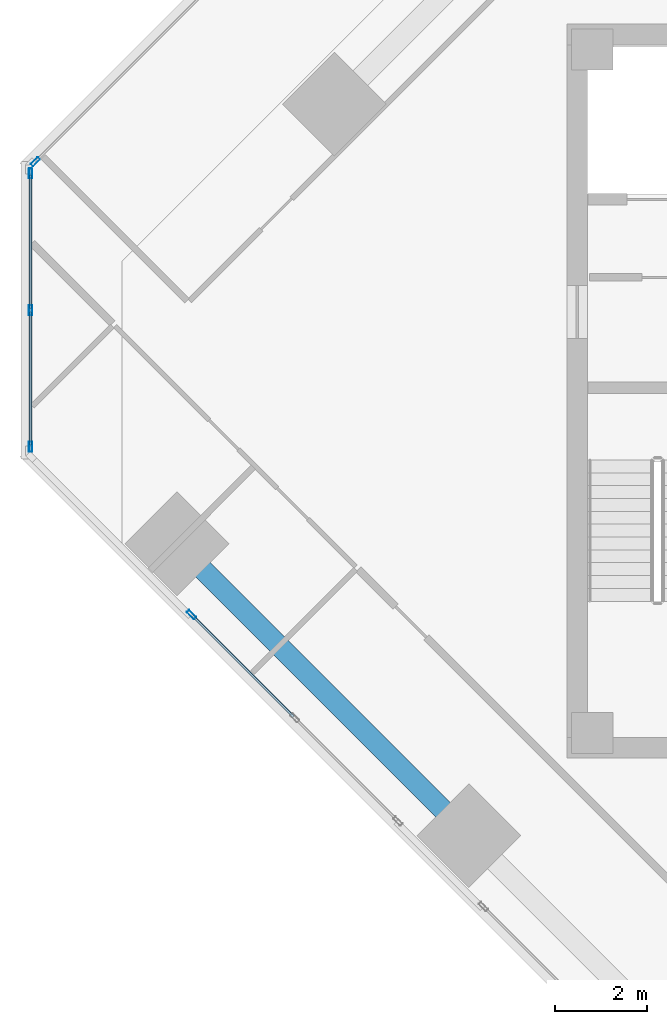
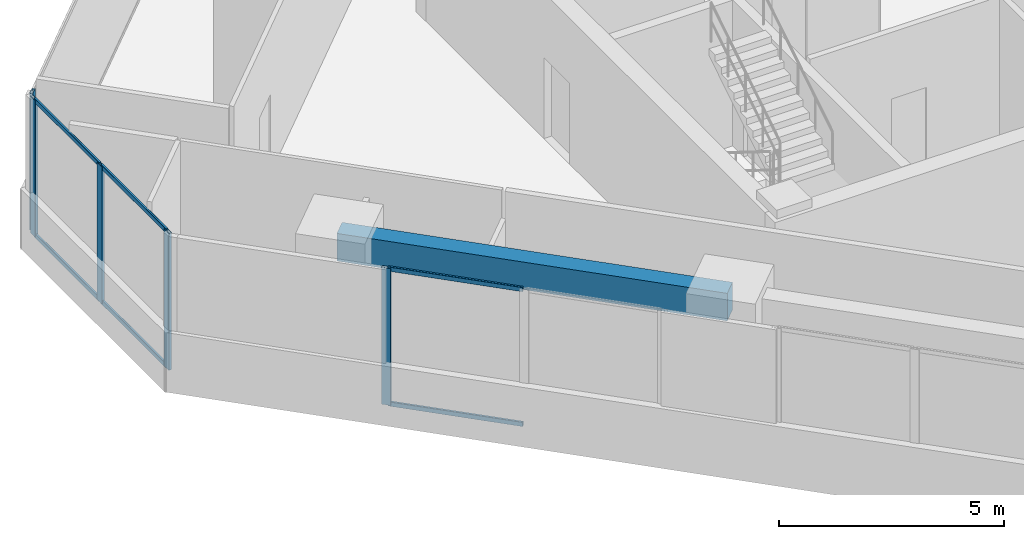
# One storey, part 4 of 17: 11 members, 1 beam, 3 elements without a shape of their own.
"""IFC4 building model written with IfcOpenShell, lengths in metres."""

import ifcopenshell
import ifcopenshell.guid

model = None  # the IFC model being written
_history = None  # IfcOwnerHistory: only IFC2X3 demands one
_inside = {}  # id of a spatial element -> (the spatial element, [elements in it])
_under = {}  # id of a project, library or spatial element -> (it, [spatial elements below it])
_declared = {}  # id of a project -> (the project, [libraries it declares])
_typed = {}  # id of a type object -> (the type object, [elements of that type])
_made_of = {}  # id of a material, layer set ... -> (it, [elements and type objects made of it])


def new_model(schema):
    """Start an empty IFC model of exactly this schema.

    Asked for "IFC4X3", IfcOpenShell would pick the latest addendum, in which some entities
    have other attributes; the version numbers below select the first issue.
    IFC2X3 requires an IfcOwnerHistory on every rooted entity: one is made here for all.
    """
    global model, _history
    if schema == "IFC4X3":
        model = ifcopenshell.file(schema_version=(4, 3, 0, 0))
    else:
        model = ifcopenshell.file(schema=schema)
    _inside.clear()
    _under.clear()
    _declared.clear()
    _typed.clear()
    _made_of.clear()
    _history = None
    if model.schema == "IFC2X3":
        org = make("IfcOrganization", Name="unknown")
        user = make(
            "IfcPersonAndOrganization",
            ThePerson=make("IfcPerson", FamilyName="unknown"),
            TheOrganization=org,
        )
        app = make(
            "IfcApplication",
            ApplicationDeveloper=org,
            Version="unknown",
            ApplicationFullName="unknown",
            ApplicationIdentifier="unknown",
        )
        _history = make(
            "IfcOwnerHistory",
            OwningUser=user,
            OwningApplication=app,
            ChangeAction="ADDED",
            CreationDate=0,
        )
    return model


def make(cls, **values):
    """One entity of the class cls with the attributes given. An attribute that is None is left unset."""
    return model.create_entity(
        cls, **{name: value for name, value in values.items() if value is not None}
    )


def rooted(cls, **values):
    """An entity with a GlobalId (a new one), such as an element, a storey or a relation."""
    return make(cls, GlobalId=ifcopenshell.guid.new(), OwnerHistory=_history, **values)


def si_unit(unit_type, name, prefix=None):
    """IfcSIUnit, for example si_unit("LENGTHUNIT", "METRE", prefix="MILLI")."""
    return make("IfcSIUnit", UnitType=unit_type, Prefix=prefix, Name=name)


def assignment(units):
    """IfcUnitAssignment: the units of a project."""
    return None if units is None else make("IfcUnitAssignment", Units=units)


def point(xyz):
    """IfcCartesianPoint."""
    return None if xyz is None else make("IfcCartesianPoint", Coordinates=xyz)


def direction(xyz):
    """IfcDirection."""
    return None if xyz is None else make("IfcDirection", DirectionRatios=xyz)


def frame(location, z_axis=None, x_axis=None):
    """IfcAxis2Placement3D, a coordinate frame: its origin and axes. An axis left out is left unset."""
    return make(
        "IfcAxis2Placement3D",
        Location=point(location),
        Axis=direction(z_axis),
        RefDirection=direction(x_axis),
    )


def frame_2d(location, x_axis=None):
    """IfcAxis2Placement2D, a coordinate frame in the plane: its origin and x axis."""
    return make(
        "IfcAxis2Placement2D", Location=point(location), RefDirection=direction(x_axis)
    )


def origin():
    """The frame at (0, 0, 0) with its axes left unset."""
    return frame((0.0, 0.0, 0.0))


def origin_2d():
    """The frame at (0, 0) in the plane with its x axis left unset."""
    return frame_2d((0.0, 0.0))


def place(relative_to, where):
    """IfcLocalPlacement: puts the frame where relative to a parent placement (None: the world)."""
    return make(
        "IfcLocalPlacement", PlacementRelTo=relative_to, RelativePlacement=where
    )


def context(
    kind, dimensions, precision=None, world=None, true_north=None, identifier=None
):
    """IfcGeometricRepresentationContext, for example the 3D "Model" context."""
    return make(
        "IfcGeometricRepresentationContext",
        ContextIdentifier=identifier,
        ContextType=kind,
        CoordinateSpaceDimension=dimensions,
        Precision=precision,
        WorldCoordinateSystem=world,
        TrueNorth=true_north,
    )


def subcontext(parent, identifier, kind, view, scale=None):
    """IfcGeometricRepresentationSubContext, for example "Body" below "Model"."""
    return make(
        "IfcGeometricRepresentationSubContext",
        ContextIdentifier=identifier,
        ContextType=kind,
        ParentContext=parent,
        TargetScale=scale,
        TargetView=view,
    )


def project(units=None, contexts=None):
    """IfcProject with its units and contexts."""
    return rooted(
        "IfcProject",
        Name="project",
        RepresentationContexts=contexts,
        UnitsInContext=assignment(units),
    )


def spatial(cls, under=None, at=None, **own):
    """A site, building, storey or space (cls), placed at a placement, below another one or the project."""
    s = rooted(cls, ObjectPlacement=at, **own)
    if under is not None:
        _under.setdefault(under.id(), (under, []))[1].append(s)
    return s


def profile(cls, at=None, kind="AREA", **sizes):
    """A parametric profile (cls). Its sizes go by their IFC names, for example OverallWidth=200.0."""
    return make(cls, ProfileType=kind, Position=at, **sizes)


def rectangle(**sizes):
    """IfcRectangleProfileDef."""
    return profile("IfcRectangleProfileDef", **sizes)


def hollow_rectangle(**sizes):
    """IfcRectangleHollowProfileDef."""
    return profile("IfcRectangleHollowProfileDef", **sizes)


def extrude(swept, where, along, depth):
    """IfcExtrudedAreaSolid: the profile swept, set in the frame where, extruded along a direction by depth."""
    return make(
        "IfcExtrudedAreaSolid",
        SweptArea=swept,
        Position=where,
        ExtrudedDirection=direction(along),
        Depth=depth,
    )


def shape(context_of_items, identifier, shape_type, items):
    """IfcShapeRepresentation: the items that make up one representation, for example the "Body"."""
    return make(
        "IfcShapeRepresentation",
        ContextOfItems=context_of_items,
        RepresentationIdentifier=identifier,
        RepresentationType=shape_type,
        Items=items,
    )


def source(mapping_origin, context_of_items, identifier, shape_type, items):
    """IfcRepresentationMap: a shape defined once, which mapped items show again and again."""
    return make(
        "IfcRepresentationMap",
        MappingOrigin=mapping_origin,
        MappedRepresentation=shape(context_of_items, identifier, shape_type, items),
    )


def transform(
    local_origin,
    x_axis=None,
    y_axis=None,
    z_axis=None,
    scale=None,
    scale2=None,
    scale3=None,
    uniform=True,
):
    """IfcCartesianTransformationOperator3D, or its non-uniform kind. x_axis, y_axis, z_axis: its Axis1, 2, 3."""
    if uniform:
        return make(
            "IfcCartesianTransformationOperator3D",
            Axis1=direction(x_axis),
            Axis2=direction(y_axis),
            LocalOrigin=point(local_origin),
            Scale=scale,
            Axis3=direction(z_axis),
        )
    return make(
        "IfcCartesianTransformationOperator3DnonUniform",
        Axis1=direction(x_axis),
        Axis2=direction(y_axis),
        LocalOrigin=point(local_origin),
        Scale=scale,
        Axis3=direction(z_axis),
        Scale2=scale2,
        Scale3=scale3,
    )


def mapped(mapping_source, mapping_target):
    """IfcMappedItem: shows the shape of a source again, moved by a transform."""
    return make(
        "IfcMappedItem", MappingSource=mapping_source, MappingTarget=mapping_target
    )


def material(Name=None, Category=None):
    """IfcMaterial."""
    return make("IfcMaterial", Name=Name, Category=Category)


def material_profile(
    of_material, cross_section, Name=None, Category=None, Priority=None
):
    """IfcMaterialProfile: a cross section and its material."""
    return make(
        "IfcMaterialProfile",
        Name=Name,
        Material=of_material,
        Profile=cross_section,
        Priority=Priority,
        Category=Category,
    )


def profile_set(profiles, Name=None, composite=None):
    """IfcMaterialProfileSet."""
    return make(
        "IfcMaterialProfileSet",
        Name=Name,
        MaterialProfiles=profiles,
        CompositeProfile=composite,
    )


def made_of(thing, what):
    """Note that an element or type object is made of a material, layer set ...; save() writes the relation."""
    if what is not None:
        _made_of.setdefault(what.id(), (what, []))[1].append(thing)
    return thing


def type_object(cls, material=None, **own):
    """A type object (cls), such as IfcWallType, which elements share."""
    return made_of(rooted(cls, **own), material)


def element(
    cls,
    number,
    at=None,
    inside=None,
    cuts=None,
    type_object=None,
    material=None,
    context=None,
    identifier="Body",
    shape_type=None,
    held_by="IfcProductDefinitionShape",
    body=None,
    shapes=None,
    **own,
):
    """One element of the class cls, such as IfcWall. Its Tag is "e" and its number.

    at: its placement. inside: the storey or other place that contains it. cuts: it is an
    opening in that element (IfcRelVoidsElement). A single representation is given by context,
    identifier, shape_type and body (its items); several are given by shapes. held_by: the class
    of the entity that holds the representations. save() writes the other relations.
    """
    e = rooted(cls, Tag="e%d" % number, ObjectPlacement=at, **own)
    if body is not None:
        shapes = [shape(context, identifier, shape_type, body)]
    if shapes is not None:
        e.Representation = make(held_by, Representations=shapes)
    if inside is not None:
        _inside.setdefault(inside.id(), (inside, []))[1].append(e)
    if cuts is not None:
        rooted(
            "IfcRelVoidsElement", RelatingBuildingElement=cuts, RelatedOpeningElement=e
        )
    if type_object is not None:
        _typed.setdefault(type_object.id(), (type_object, []))[1].append(e)
    return made_of(e, material)


def aggregate(whole, parts):
    """IfcRelAggregates: a whole, such as a stair, and the parts it consists of."""
    return rooted("IfcRelAggregates", RelatingObject=whole, RelatedObjects=parts)


def save(model, path):
    """Write the relations noted so far, then the file.

    IfcRelAggregates (storeys below a building ...), IfcRelContainedInSpatialStructure (elements
    in a storey), IfcRelDefinesByType, IfcRelAssociatesMaterial and IfcRelDeclares: one each for
    every whole, place, type object, material and project.
    """
    for whole, parts in _under.values():
        aggregate(whole, parts)
    for where, things in _inside.values():
        rooted(
            "IfcRelContainedInSpatialStructure",
            RelatedElements=things,
            RelatingStructure=where,
        )
    for kind, things in _typed.values():
        rooted("IfcRelDefinesByType", RelatedObjects=things, RelatingType=kind)
    for what, things in _made_of.values():
        rooted("IfcRelAssociatesMaterial", RelatedObjects=things, RelatingMaterial=what)
    for by, libraries in _declared.values():
        rooted("IfcRelDeclares", RelatingContext=by, RelatedDefinitions=libraries)
    model.write(path)


model = new_model("IFC4")

# Units and contexts
model_context = context("Model", 3, precision=1e-05, world=origin(), true_north=direction((0.0, 1.0)))
body_context = subcontext(model_context, "Body", "Model", "MODEL_VIEW")
ifc_project = project(units=[si_unit("LENGTHUNIT", "METRE"), si_unit("AREAUNIT", "SQUARE_METRE"), si_unit("VOLUMEUNIT", "CUBIC_METRE"), si_unit("PLANEANGLEUNIT", "RADIAN"), si_unit("MASSUNIT", "GRAM", prefix="KILO")], contexts=[model_context])

# Site, building, storey
site_placement = place(None, origin())
site = spatial("IfcSite", under=ifc_project, at=site_placement, CompositionType="ELEMENT")
building_placement = place(site_placement, origin())
building = spatial("IfcBuilding", under=site, at=building_placement, Name="Torre Montelarca", CompositionType="ELEMENT")
storey_placement = place(building_placement, frame((0.0, 0.0, 250.0)))
storey = spatial("IfcBuildingStorey", under=building, at=storey_placement, Name="L56", CompositionType="ELEMENT", Elevation=250.0)

# Beam
ifc_material_1 = material(Name="Concrete C55/67", Category="concrete")
ifc_material_profile_1 = material_profile(ifc_material_1, rectangle(XDim=0.449951171875, YDim=0.75, at=origin_2d()), Name="RCB450X750", Category="concrete")
ifc_profile_set_1 = profile_set([ifc_material_profile_1], Name="Concrete C55/67")
beam_type = type_object("IfcBeamType", Name="BM-SP-RC750-EXT", PredefinedType="SPANDREL", material=ifc_profile_set_1)
shared_shape_1 = source(origin(), body_context, "Body", "SweptSolid", [
    extrude(rectangle(XDim=0.449951171875, YDim=0.75, at=origin_2d()), origin(), (0.0, 0.0, 1.0), 9.0),
])
beam_placement = place(storey_placement, frame((0.498779296875, 28.676513671875, 3.5849609375), z_axis=(0.707106781187, -0.707106781187, 0.0), x_axis=(0.707106781187, 0.707106781187, 0.0)))
element("IfcBeam", 1, at=beam_placement, inside=storey, type_object=beam_type, Name="L56 Grid Girder X 9.0-18.0 at Y=14.8", PredefinedType="SPANDREL", context=body_context, shape_type="MappedRepresentation", body=[
    mapped(shared_shape_1, transform((0.0, 0.0, 0.0), scale=1.0)),
])

# Curtain wall, members
ifc_material_2 = material(Name="Insulated low-E laminated glass", Category="glass")
curtain_wall_type = type_object("IfcCurtainWallType", Name="CW-SYS-Z3", PredefinedType="USERDEFINED", material=ifc_material_2)
curtain_wall_1_placement = place(storey_placement, origin())
curtain_wall_1 = element("IfcCurtainWall", 2, at=curtain_wall_1_placement, inside=storey, type_object=curtain_wall_type, Name="L56 Curtain Wall Run CW-T3-L56-E11-B1", ObjectType="UNITISED GLAZING", PredefinedType="USERDEFINED")
ifc_material_3 = material(Name="Anodised aluminium AA 6063-T6", Category="aluminium")
ifc_material_profile_2 = material_profile(ifc_material_3, hollow_rectangle(XDim=0.054931640625, YDim=0.1201171875, WallThickness=0.00341796875, InnerFilletRadius=0.00341796875, OuterFilletRadius=0.007080078125, at=origin_2d()), Name="ALU55X120X3.5", Category="aluminium")
ifc_profile_set_2 = profile_set([ifc_material_profile_2], Name="Anodised aluminium AA 6063-T6")
member_type_1 = type_object("IfcMemberType", Name="CWT-ALU120", PredefinedType="USERDEFINED", material=ifc_profile_set_2)
shared_shape_2 = source(origin(), body_context, "Body", "SweptSolid", [
    extrude(hollow_rectangle(XDim=0.054931640625, YDim=0.1201171875, WallThickness=0.00341796875, InnerFilletRadius=0.00341796875, OuterFilletRadius=0.007080078125, at=origin_2d()), origin(), (0.0, 0.0, 1.0), 2.903564453125),
])
member_1_placement = place(storey_placement, frame((-2.694580078125, 33.730224609375, 0.027587890625), z_axis=(0.0, -1.0, 0.0), x_axis=(1.0, 0.0, 0.0)))
member_1 = element("IfcMember", 3, at=member_1_placement, type_object=member_type_1, Name="CW transom 2.1", ObjectType="TRANSOM", PredefinedType="USERDEFINED", context=body_context, shape_type="MappedRepresentation", body=[
    mapped(shared_shape_2, transform((0.0, 0.0, 0.0), scale=1.0)),
])
member_2_placement = place(storey_placement, frame((-2.694580078125, 33.730224609375, 3.6923828125), z_axis=(0.0, -1.0, 0.0), x_axis=(1.0, 0.0, 0.0)))
member_2 = element("IfcMember", 4, at=member_2_placement, type_object=member_type_1, Name="CW transom 2.2", ObjectType="TRANSOM", PredefinedType="USERDEFINED", context=body_context, shape_type="MappedRepresentation", body=[
    mapped(shared_shape_2, transform((0.0, 0.0, 0.0), scale=1.0)),
])

# Curtain wall, member
curtain_wall_2_placement = place(storey_placement, origin())
curtain_wall_2 = element("IfcCurtainWall", 5, at=curtain_wall_2_placement, inside=storey, type_object=curtain_wall_type, Name="L56 Curtain Wall Run CW-T3-L56-E01-B1", ObjectType="UNITISED GLAZING", PredefinedType="USERDEFINED")
ifc_material_profile_3 = material_profile(ifc_material_3, hollow_rectangle(XDim=0.074951171875, YDim=0.219970703125, WallThickness=0.0048828125, InnerFilletRadius=0.0048828125, OuterFilletRadius=0.010009765625, at=origin_2d()), Name="ALU75X220X5", Category="aluminium")
ifc_profile_set_3 = profile_set([ifc_material_profile_3], Name="Anodised aluminium AA 6063-T6")
member_type_2 = type_object("IfcMemberType", Name="CWM-ALU220", PredefinedType="MULLION", material=ifc_profile_set_3)
shared_shape_3 = source(origin(), body_context, "Body", "SweptSolid", [
    extrude(hollow_rectangle(XDim=0.074951171875, YDim=0.219970703125, WallThickness=0.0048828125, InnerFilletRadius=0.0048828125, OuterFilletRadius=0.010009765625, at=origin_2d()), origin(), (0.0, 0.0, 1.0), 3.719970703125),
])
member_3_placement = place(storey_placement, frame((0.8154296875, 27.1298828125, 0.0), z_axis=(0.0, 0.0, 1.0), x_axis=(0.707106781187, 0.707106781187, 0.0)))
member_3 = element("IfcMember", 6, at=member_3_placement, type_object=member_type_2, Name="CW mullion 1", PredefinedType="MULLION", context=body_context, shape_type="MappedRepresentation", body=[
    mapped(shared_shape_3, transform((0.0, 0.0, 0.0), scale=1.0)),
])

curtain_wall_3_placement = place(storey_placement, origin())
curtain_wall_3 = element("IfcCurtainWall", 7, at=curtain_wall_3_placement, inside=storey, type_object=curtain_wall_type, Name="L56 Curtain Wall Run CW-T3-L56-E10-B1", ObjectType="UNITISED GLAZING", PredefinedType="USERDEFINED")
member_4_placement = place(storey_placement, frame((-2.5888671875, 37.001708984375, 0.0), z_axis=(0.0, 0.0, 1.0), x_axis=(0.707108775742, -0.707104786625, 0.0)))
member_4 = element("IfcMember", 8, at=member_4_placement, type_object=member_type_2, Name="CW mullion 3", PredefinedType="MULLION", context=body_context, shape_type="MappedRepresentation", body=[
    mapped(shared_shape_3, transform((0.0, 0.0, 0.0), scale=1.0)),
])
aggregate(curtain_wall_3, [member_4])

# Member
member_5_placement = place(storey_placement, frame((-2.694580078125, 36.746337890625, 0.0), z_axis=(0.0, 0.0, 1.0), x_axis=(1.0, 0.0, 0.0)))
member_5 = element("IfcMember", 9, at=member_5_placement, type_object=member_type_2, Name="CW mullion 1", PredefinedType="MULLION", context=body_context, shape_type="MappedRepresentation", body=[
    mapped(shared_shape_3, transform((0.0, 0.0, 0.0), scale=1.0)),
])

member_6_placement = place(storey_placement, frame((-2.694580078125, 33.767822265625, 0.0), z_axis=(0.0, 0.0, 1.0), x_axis=(1.0, 0.0, 0.0)))
member_6 = element("IfcMember", 10, at=member_6_placement, type_object=member_type_2, Name="CW mullion 2", PredefinedType="MULLION", context=body_context, shape_type="MappedRepresentation", body=[
    mapped(shared_shape_3, transform((0.0, 0.0, 0.0), scale=1.0)),
])

member_7_placement = place(storey_placement, frame((-2.694580078125, 30.7890625, 0.0), z_axis=(0.0, 0.0, 1.0), x_axis=(1.0, 0.0, 0.0)))
member_7 = element("IfcMember", 11, at=member_7_placement, type_object=member_type_2, Name="CW mullion 3", PredefinedType="MULLION", context=body_context, shape_type="MappedRepresentation", body=[
    mapped(shared_shape_3, transform((0.0, 0.0, 0.0), scale=1.0)),
])

shared_shape_4 = source(origin(), body_context, "Body", "SweptSolid", [
    extrude(hollow_rectangle(XDim=0.054931640625, YDim=0.1201171875, WallThickness=0.00341796875, InnerFilletRadius=0.00341796875, OuterFilletRadius=0.007080078125, at=origin_2d()), origin(), (0.0, 0.0, 1.0), 3.107421875),
])
member_8_placement = place(storey_placement, frame((0.841796875, 27.103271484375, 0.027587890625), z_axis=(0.707106781187, -0.707106781187, 0.0), x_axis=(0.707106781187, 0.707106781187, 0.0)))
member_8 = element("IfcMember", 12, at=member_8_placement, type_object=member_type_1, Name="CW transom 1.1", ObjectType="TRANSOM", PredefinedType="USERDEFINED", context=body_context, shape_type="MappedRepresentation", body=[
    mapped(shared_shape_4, transform((0.0, 0.0, 0.0), scale=1.0)),
])

member_9_placement = place(storey_placement, frame((0.841796875, 27.103271484375, 3.6923828125), z_axis=(0.707106781187, -0.707106781187, 0.0), x_axis=(0.707106781187, 0.707106781187, 0.0)))
member_9 = element("IfcMember", 13, at=member_9_placement, type_object=member_type_1, Name="CW transom 1.2", ObjectType="TRANSOM", PredefinedType="USERDEFINED", context=body_context, shape_type="MappedRepresentation", body=[
    mapped(shared_shape_4, transform((0.0, 0.0, 0.0), scale=1.0)),
])

aggregate(curtain_wall_2, [member_3, member_8, member_9])

shared_shape_5 = source(origin(), body_context, "Body", "SweptSolid", [
    extrude(hollow_rectangle(XDim=0.054931640625, YDim=0.1201171875, WallThickness=0.00341796875, InnerFilletRadius=0.00341796875, OuterFilletRadius=0.007080078125, at=origin_2d()), origin(), (0.0, 0.0, 1.0), 2.90380859375),
])
member_10_placement = place(storey_placement, frame((-2.694580078125, 36.708984375, 0.027587890625), z_axis=(0.0, -1.0, 0.0), x_axis=(1.0, 0.0, 0.0)))
member_10 = element("IfcMember", 14, at=member_10_placement, type_object=member_type_1, Name="CW transom 1.1", ObjectType="TRANSOM", PredefinedType="USERDEFINED", context=body_context, shape_type="MappedRepresentation", body=[
    mapped(shared_shape_5, transform((0.0, 0.0, 0.0), scale=1.0)),
])

member_11_placement = place(storey_placement, frame((-2.694580078125, 36.708984375, 3.6923828125), z_axis=(0.0, -1.0, 0.0), x_axis=(1.0, 0.0, 0.0)))
member_11 = element("IfcMember", 15, at=member_11_placement, type_object=member_type_1, Name="CW transom 1.2", ObjectType="TRANSOM", PredefinedType="USERDEFINED", context=body_context, shape_type="MappedRepresentation", body=[
    mapped(shared_shape_5, transform((0.0, 0.0, 0.0), scale=1.0)),
])

aggregate(curtain_wall_1, [member_5, member_6, member_7, member_10, member_11, member_1, member_2])

save(model, "model.ifc")
